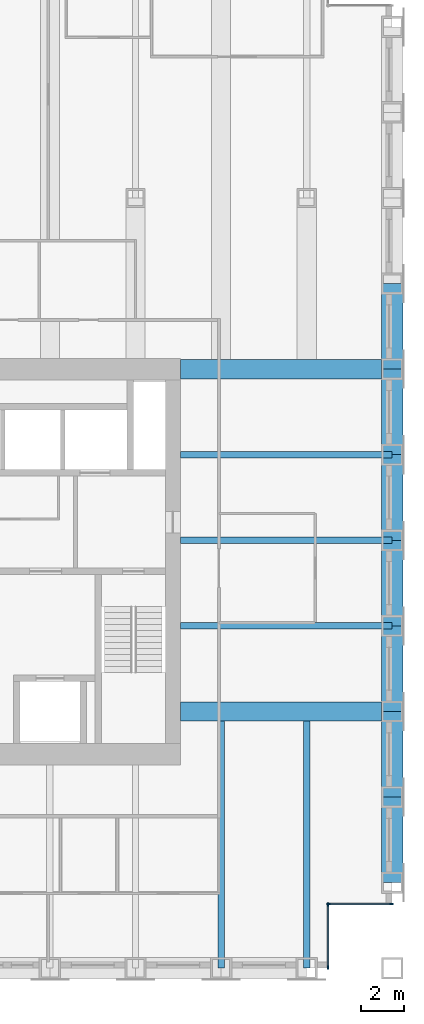
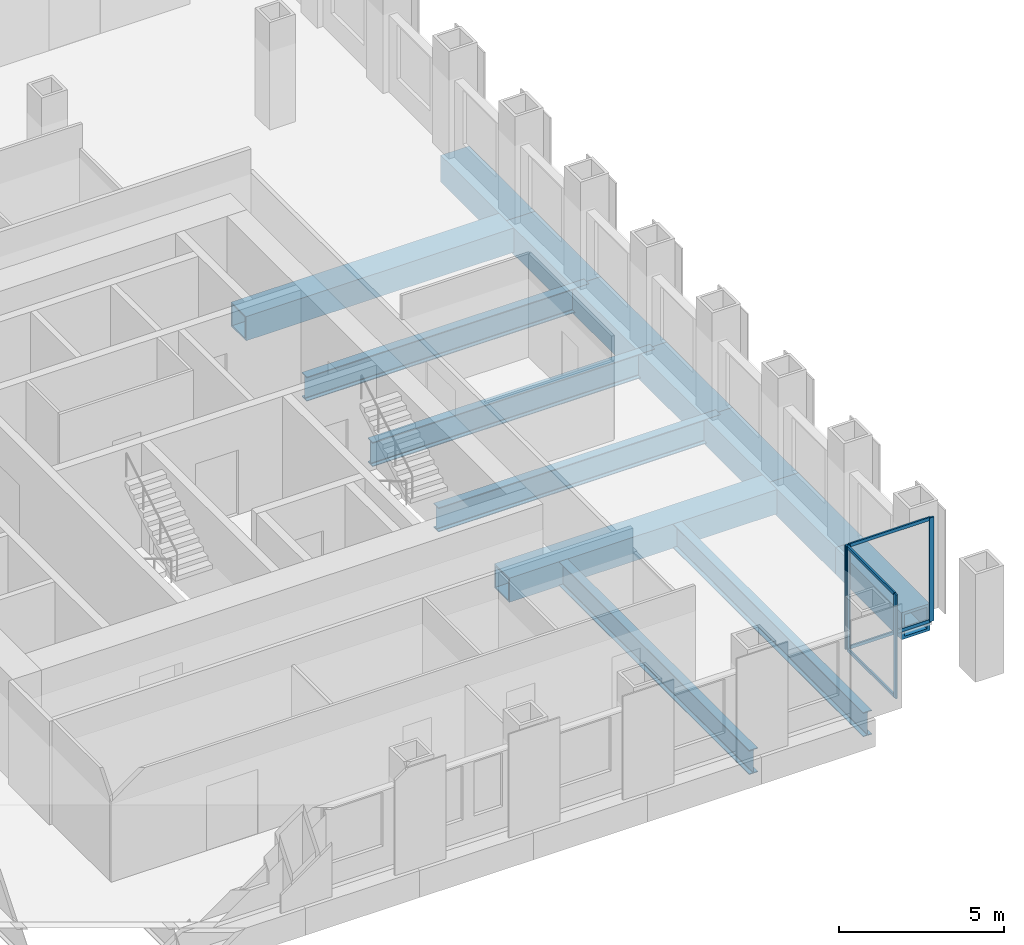
# One storey, part 4 of 13: 14 beams, 8 members, 2 elements without a shape of their own.
"""IFC4 building model written with IfcOpenShell, lengths in metres."""

from ifc_helpers import new_model, si_unit, direction, frame, origin, origin_2d, place, context, subcontext, project, spatial, rectangle, hollow_rectangle, i_section, extrude, material, material_profile, profile_set, type_object, element, aggregate, save


model = new_model("IFC4")

# Units and contexts
model_context = context("Model", 3, precision=1e-05, world=origin(), true_north=direction((0.0, 1.0)))
body_context = subcontext(model_context, "Body", "Model", "MODEL_VIEW")
ifc_project = project(units=[si_unit("LENGTHUNIT", "METRE"), si_unit("AREAUNIT", "SQUARE_METRE"), si_unit("VOLUMEUNIT", "CUBIC_METRE"), si_unit("PLANEANGLEUNIT", "RADIAN"), si_unit("MASSUNIT", "GRAM", prefix="KILO")], contexts=[model_context])

# Site, building, storey
site_placement = place(None, origin())
site = spatial("IfcSite", under=ifc_project, at=site_placement, CompositionType="ELEMENT")
building_placement = place(site_placement, origin())
building = spatial("IfcBuilding", under=site, at=building_placement, Name="Rimbunsela Tower", CompositionType="ELEMENT")
storey_placement = place(building_placement, frame((0.0, 0.0, 191.800048828125)))
storey = spatial("IfcBuildingStorey", under=building, at=storey_placement, Name="L46", CompositionType="ELEMENT", Elevation=191.800048828125)

# Beams
ifc_material_1 = material(Name="Steel BJ 55 (fy 410 MPa)", Category="steel")
ifc_material_profile_1 = material_profile(ifc_material_1, hollow_rectangle(XDim=1.0, YDim=1.0, WallThickness=0.10009765625, at=origin_2d()), Name="BOX 1000x1000x100")
ifc_profile_set_1 = profile_set([ifc_material_profile_1], Name="Steel BJ 55 (fy 410 MPa)")
beam_type_1 = type_object("IfcBeamType", Name="Beam BOX 1000x1000x100", PredefinedType="BEAM", material=ifc_profile_set_1)
for number, where, z_axis, x_axis, name in (
    (1, (46.0, 12.0, -0.650146484375), (0.0, 1.0, 0.0), (-1.0, 0.0, 0.0), "Beam B3 L46"),
    (2, (46.0, 16.0, -0.650146484375), (0.0, 1.0, 0.0), (-1.0, 0.0, 0.0), "Beam B3 L46"),
    (3, (46.0, 20.0, -0.650146484375), (0.0, 1.0, 0.0), (-1.0, 0.0, 0.0), "Beam B3 L46"),
    (4, (46.0, 24.0, -0.650146484375), (0.0, 1.0, 0.0), (-1.0, 0.0, 0.0), "Beam B3 L46"),
    (5, (46.0, 28.0, -0.650146484375), (0.0, 1.0, 0.0), (-1.0, 0.0, 0.0), "Beam B3 L46"),
    (6, (46.0, 32.0, -0.650146484375), (0.0, 1.0, 0.0), (-1.0, 0.0, 0.0), "Beam B3 L46"),
    (7, (46.0, 36.0, -0.650146484375), (0.0, 1.0, 0.0), (-1.0, 0.0, 0.0), "Beam B3 L46"),
):
    element("IfcBeam", number, at=place(storey_placement, frame(where, z_axis=z_axis, x_axis=x_axis)), inside=storey, type_object=beam_type_1, Name=name, PredefinedType="BEAM", context=body_context, shape_type="SweptSolid", body=[
        extrude(hollow_rectangle(XDim=1.0, YDim=1.0, WallThickness=0.10009765625, at=origin_2d()), origin(), (0.0, 0.0, 1.0), 4.0),
    ])
ifc_material_2 = material(Name="Steel BJ 55 (fy 410 MPa)", Category="steel")
ifc_material_profile_2 = material_profile(ifc_material_2, hollow_rectangle(XDim=0.89990234375, YDim=0.89990234375, WallThickness=0.06005859375, at=origin_2d()), Name="BOX 900x900x60")
ifc_profile_set_2 = profile_set([ifc_material_profile_2], Name="Steel BJ 55 (fy 410 MPa)")
beam_type_2 = type_object("IfcBeamType", Name="Beam BOX 900x900x60", PredefinedType="BEAM", material=ifc_profile_set_2)
for number, where, z_axis, x_axis, name in (
    (8, (36.10009765625, 20.0, -0.60009765625), (1.0, 0.0, 0.0), (0.0, 1.0, 0.0), "Beam B1 L46"),
    (9, (36.10009765625, 36.0, -0.60009765625), (1.0, 0.0, 0.0), (0.0, 1.0, 0.0), "Beam B1 L46"),
):
    element("IfcBeam", number, at=place(storey_placement, frame(where, z_axis=z_axis, x_axis=x_axis)), inside=storey, type_object=beam_type_2, Name=name, PredefinedType="BEAM", context=body_context, shape_type="SweptSolid", body=[
        extrude(hollow_rectangle(XDim=0.89990234375, YDim=0.89990234375, WallThickness=0.06005859375, at=origin_2d()), origin(), (0.0, 0.0, 1.0), 9.89990234375),
    ])
ifc_material_3 = material(Name="Steel BJ 55 (fy 410 MPa)", Category="steel")
ifc_material_profile_3 = material_profile(ifc_material_3, i_section(OverallWidth=0.300048828125, OverallDepth=0.89990234375, WebThickness=0.01611328125, FlangeThickness=0.028076171875, FilletRadius=0.028076171875, at=origin_2d()), Name="H 900x300x16x28")
ifc_profile_set_3 = profile_set([ifc_material_profile_3], Name="Steel BJ 55 (fy 410 MPa)")
beam_type_3 = type_object("IfcBeamType", Name="Beam H 900x300x16x28", PredefinedType="BEAM", material=ifc_profile_set_3)
for number, where, z_axis, x_axis, name in (
    (10, (36.10009765625, 24.0, -0.60009765625), (1.0, 0.0, 0.0), (0.0, 1.0, 0.0), "Beam B2 L46"),
    (11, (36.10009765625, 28.0, -0.60009765625), (1.0, 0.0, 0.0), (0.0, 1.0, 0.0), "Beam B2 L46"),
    (12, (36.10009765625, 32.0, -0.60009765625), (1.0, 0.0, 0.0), (0.0, 1.0, 0.0), "Beam B2 L46"),
):
    element("IfcBeam", number, at=place(storey_placement, frame(where, z_axis=z_axis, x_axis=x_axis)), inside=storey, type_object=beam_type_3, Name=name, PredefinedType="BEAM", context=body_context, shape_type="SweptSolid", body=[
        extrude(i_section(OverallWidth=0.300048828125, OverallDepth=0.89990234375, WebThickness=0.01611328125, FlangeThickness=0.028076171875, FilletRadius=0.028076171875, at=origin_2d()), origin(), (0.0, 0.0, 1.0), 9.89990234375),
    ])
for number, where, z_axis, x_axis, name in (
    (13, (38.0, 8.0, -0.60009765625), (0.0, 1.0, 0.0), (-1.0, 0.0, 0.0), "Beam B2 L46"),
    (14, (42.0, 8.0, -0.60009765625), (0.0, 1.0, 0.0), (-1.0, 0.0, 0.0), "Beam B2 L46"),
):
    element("IfcBeam", number, at=place(storey_placement, frame(where, z_axis=z_axis, x_axis=x_axis)), inside=storey, type_object=beam_type_3, Name=name, PredefinedType="BEAM", context=body_context, shape_type="SweptSolid", body=[
        extrude(i_section(OverallWidth=0.300048828125, OverallDepth=0.89990234375, WebThickness=0.01611328125, FlangeThickness=0.028076171875, FilletRadius=0.028076171875, at=origin_2d()), origin(), (0.0, 0.0, 1.0), 11.550048828125),
    ])

# Curtain wall, members
ifc_material_4 = material(Name="Aluminium curtain wall", Category="aluminium")
curtain_wall_type = type_object("IfcCurtainWallType", Name="Corner glazing", PredefinedType="USERDEFINED", material=ifc_material_4)
curtain_wall_1_placement = place(storey_placement, origin())
curtain_wall_1 = element("IfcCurtainWall", 15, at=curtain_wall_1_placement, inside=storey, type_object=curtain_wall_type, Name="Corner glazing L46", ObjectType="CORNER GLAZING", PredefinedType="USERDEFINED")
ifc_material_5 = material(Name="Aluminium mullion", Category="aluminium")
ifc_material_profile_4 = material_profile(ifc_material_5, rectangle(XDim=0.06005859375, YDim=0.159912109375, at=origin_2d()), Name="Mullion 60x160")
ifc_profile_set_4 = profile_set([ifc_material_profile_4], Name="Aluminium mullion")
member_type_1 = type_object("IfcMemberType", Name="Curtain wall mullion 60x160", PredefinedType="MULLION", material=ifc_profile_set_4)
member_1_placement = place(storey_placement, frame((43.0, 8.030029296875, 0.0), z_axis=(0.0, 0.0, 1.0), x_axis=(-1.0, 0.0, 0.0)))
member_1 = element("IfcMember", 16, at=member_1_placement, type_object=member_type_1, Name="CW5 mullion 1", PredefinedType="MULLION", context=body_context, shape_type="SweptSolid", body=[
    extrude(rectangle(XDim=0.06005859375, YDim=0.159912109375, at=origin_2d()), origin(), (0.0, 0.0, 1.0), 3.849853515625),
])
member_2_placement = place(storey_placement, frame((43.0, 10.969970703125, 0.0), z_axis=(0.0, 0.0, 1.0), x_axis=(-1.0, 0.0, 0.0)))
member_2 = element("IfcMember", 17, at=member_2_placement, type_object=member_type_1, Name="CW5 mullion 2", PredefinedType="MULLION", context=body_context, shape_type="SweptSolid", body=[
    extrude(rectangle(XDim=0.06005859375, YDim=0.159912109375, at=origin_2d()), origin(), (0.0, 0.0, 1.0), 3.849853515625),
])

curtain_wall_2_placement = place(storey_placement, origin())
curtain_wall_2 = element("IfcCurtainWall", 18, at=curtain_wall_2_placement, inside=storey, type_object=curtain_wall_type, Name="Corner glazing L46", ObjectType="CORNER GLAZING", PredefinedType="USERDEFINED")
member_3_placement = place(storey_placement, frame((43.030029296875, 11.0, 0.0), z_axis=(0.0, 0.0, 1.0), x_axis=(0.0, 1.0, 0.0)))
member_3 = element("IfcMember", 19, at=member_3_placement, type_object=member_type_1, Name="CW5 mullion 1", PredefinedType="MULLION", context=body_context, shape_type="SweptSolid", body=[
    extrude(rectangle(XDim=0.06005859375, YDim=0.159912109375, at=origin_2d()), origin(), (0.0, 0.0, 1.0), 3.849853515625),
])
member_4_placement = place(storey_placement, frame((45.969970703125, 11.0, 0.0), z_axis=(0.0, 0.0, 1.0), x_axis=(0.0, 1.0, 0.0)))
member_4 = element("IfcMember", 20, at=member_4_placement, type_object=member_type_1, Name="CW5 mullion 2", PredefinedType="MULLION", context=body_context, shape_type="SweptSolid", body=[
    extrude(rectangle(XDim=0.06005859375, YDim=0.159912109375, at=origin_2d()), origin(), (0.0, 0.0, 1.0), 3.849853515625),
])

# Member
ifc_material_6 = material(Name="Aluminium transom", Category="aluminium")
ifc_material_profile_5 = material_profile(ifc_material_6, rectangle(XDim=0.06005859375, YDim=0.1201171875, at=origin_2d()), Name="Transom 60x120")
ifc_profile_set_5 = profile_set([ifc_material_profile_5], Name="Aluminium transom")
member_type_2 = type_object("IfcMemberType", Name="Curtain wall transom 60x120", PredefinedType="USERDEFINED", material=ifc_profile_set_5)
member_5_placement = place(storey_placement, frame((43.0, 8.06005859375, 0.030029296875), z_axis=(0.0, 1.0, 0.0), x_axis=(-1.0, 0.0, 0.0)))
member_5 = element("IfcMember", 21, at=member_5_placement, type_object=member_type_2, Name="CW5 transom 1.1", ObjectType="TRANSOM", PredefinedType="USERDEFINED", context=body_context, shape_type="SweptSolid", body=[
    extrude(rectangle(XDim=0.06005859375, YDim=0.1201171875, at=origin_2d()), origin(), (0.0, 0.0, 1.0), 2.8798828125),
])

member_6_placement = place(storey_placement, frame((43.0, 8.06005859375, 3.820068359375), z_axis=(0.0, 1.0, 0.0), x_axis=(-1.0, 0.0, 0.0)))
member_6 = element("IfcMember", 22, at=member_6_placement, type_object=member_type_2, Name="CW5 transom 1.2", ObjectType="TRANSOM", PredefinedType="USERDEFINED", context=body_context, shape_type="SweptSolid", body=[
    extrude(rectangle(XDim=0.06005859375, YDim=0.1201171875, at=origin_2d()), origin(), (0.0, 0.0, 1.0), 2.8798828125),
])

aggregate(curtain_wall_1, [member_1, member_2, member_5, member_6])

member_7_placement = place(storey_placement, frame((43.06005859375, 11.0, 0.030029296875), z_axis=(1.0, 0.0, 0.0), x_axis=(0.0, 1.0, 0.0)))
member_7 = element("IfcMember", 23, at=member_7_placement, type_object=member_type_2, Name="CW5 transom 1.1", ObjectType="TRANSOM", PredefinedType="USERDEFINED", context=body_context, shape_type="SweptSolid", body=[
    extrude(rectangle(XDim=0.06005859375, YDim=0.1201171875, at=origin_2d()), origin(), (0.0, 0.0, 1.0), 2.8798828125),
])

member_8_placement = place(storey_placement, frame((43.06005859375, 11.0, 3.820068359375), z_axis=(1.0, 0.0, 0.0), x_axis=(0.0, 1.0, 0.0)))
member_8 = element("IfcMember", 24, at=member_8_placement, type_object=member_type_2, Name="CW5 transom 1.2", ObjectType="TRANSOM", PredefinedType="USERDEFINED", context=body_context, shape_type="SweptSolid", body=[
    extrude(rectangle(XDim=0.06005859375, YDim=0.1201171875, at=origin_2d()), origin(), (0.0, 0.0, 1.0), 2.8798828125),
])

aggregate(curtain_wall_2, [member_3, member_4, member_7, member_8])

save(model, "model.ifc")
